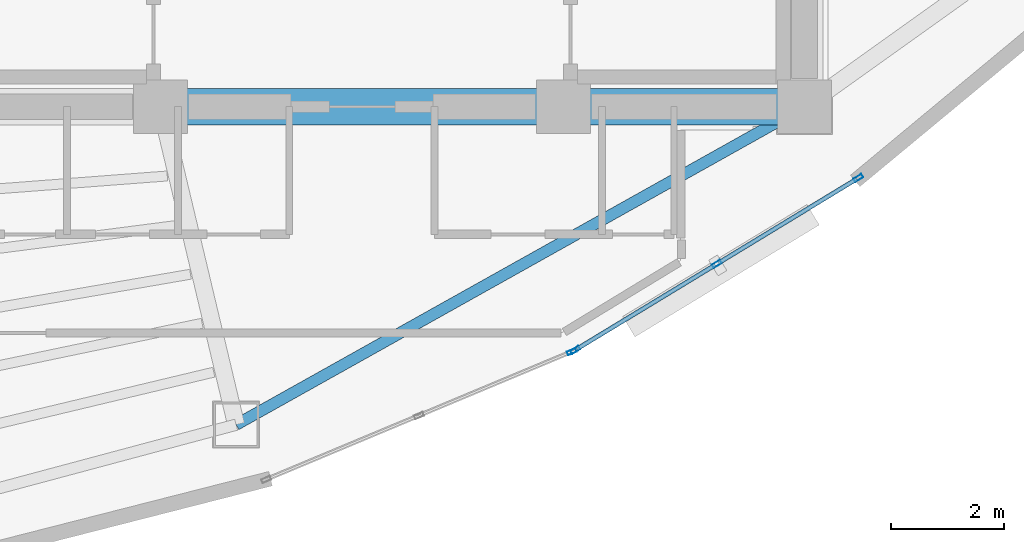
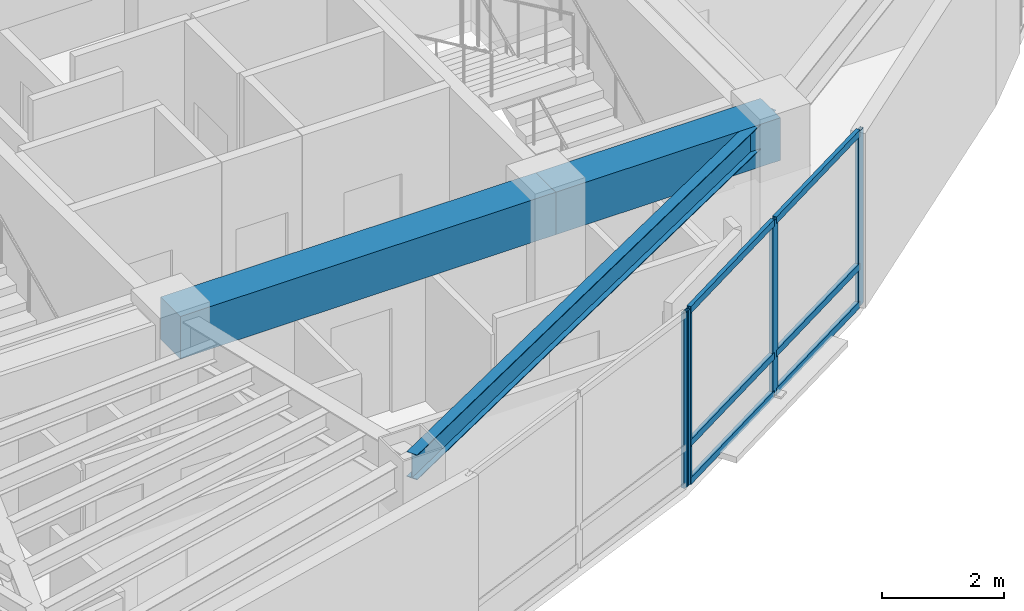
# One storey, part 5 of 15: 10 members, 3 beams, 2 elements without a shape of their own.
"""IFC4 building model written with IfcOpenShell, lengths in metres."""

import ifcopenshell
import ifcopenshell.guid

model = None  # the IFC model being written
_history = None  # IfcOwnerHistory: only IFC2X3 demands one
_inside = {}  # id of a spatial element -> (the spatial element, [elements in it])
_under = {}  # id of a project, library or spatial element -> (it, [spatial elements below it])
_declared = {}  # id of a project -> (the project, [libraries it declares])
_typed = {}  # id of a type object -> (the type object, [elements of that type])
_made_of = {}  # id of a material, layer set ... -> (it, [elements and type objects made of it])


def new_model(schema):
    """Start an empty IFC model of exactly this schema.

    Asked for "IFC4X3", IfcOpenShell would pick the latest addendum, in which some entities
    have other attributes; the version numbers below select the first issue.
    IFC2X3 requires an IfcOwnerHistory on every rooted entity: one is made here for all.
    """
    global model, _history
    if schema == "IFC4X3":
        model = ifcopenshell.file(schema_version=(4, 3, 0, 0))
    else:
        model = ifcopenshell.file(schema=schema)
    _inside.clear()
    _under.clear()
    _declared.clear()
    _typed.clear()
    _made_of.clear()
    _history = None
    if model.schema == "IFC2X3":
        org = make("IfcOrganization", Name="unknown")
        user = make(
            "IfcPersonAndOrganization",
            ThePerson=make("IfcPerson", FamilyName="unknown"),
            TheOrganization=org,
        )
        app = make(
            "IfcApplication",
            ApplicationDeveloper=org,
            Version="unknown",
            ApplicationFullName="unknown",
            ApplicationIdentifier="unknown",
        )
        _history = make(
            "IfcOwnerHistory",
            OwningUser=user,
            OwningApplication=app,
            ChangeAction="ADDED",
            CreationDate=0,
        )
    return model


def make(cls, **values):
    """One entity of the class cls with the attributes given. An attribute that is None is left unset."""
    return model.create_entity(
        cls, **{name: value for name, value in values.items() if value is not None}
    )


def rooted(cls, **values):
    """An entity with a GlobalId (a new one), such as an element, a storey or a relation."""
    return make(cls, GlobalId=ifcopenshell.guid.new(), OwnerHistory=_history, **values)


def si_unit(unit_type, name, prefix=None):
    """IfcSIUnit, for example si_unit("LENGTHUNIT", "METRE", prefix="MILLI")."""
    return make("IfcSIUnit", UnitType=unit_type, Prefix=prefix, Name=name)


def assignment(units):
    """IfcUnitAssignment: the units of a project."""
    return None if units is None else make("IfcUnitAssignment", Units=units)


def point(xyz):
    """IfcCartesianPoint."""
    return None if xyz is None else make("IfcCartesianPoint", Coordinates=xyz)


def direction(xyz):
    """IfcDirection."""
    return None if xyz is None else make("IfcDirection", DirectionRatios=xyz)


def frame(location, z_axis=None, x_axis=None):
    """IfcAxis2Placement3D, a coordinate frame: its origin and axes. An axis left out is left unset."""
    return make(
        "IfcAxis2Placement3D",
        Location=point(location),
        Axis=direction(z_axis),
        RefDirection=direction(x_axis),
    )


def frame_2d(location, x_axis=None):
    """IfcAxis2Placement2D, a coordinate frame in the plane: its origin and x axis."""
    return make(
        "IfcAxis2Placement2D", Location=point(location), RefDirection=direction(x_axis)
    )


def origin():
    """The frame at (0, 0, 0) with its axes left unset."""
    return frame((0.0, 0.0, 0.0))


def origin_2d():
    """The frame at (0, 0) in the plane with its x axis left unset."""
    return frame_2d((0.0, 0.0))


def place(relative_to, where):
    """IfcLocalPlacement: puts the frame where relative to a parent placement (None: the world)."""
    return make(
        "IfcLocalPlacement", PlacementRelTo=relative_to, RelativePlacement=where
    )


def context(
    kind, dimensions, precision=None, world=None, true_north=None, identifier=None
):
    """IfcGeometricRepresentationContext, for example the 3D "Model" context."""
    return make(
        "IfcGeometricRepresentationContext",
        ContextIdentifier=identifier,
        ContextType=kind,
        CoordinateSpaceDimension=dimensions,
        Precision=precision,
        WorldCoordinateSystem=world,
        TrueNorth=true_north,
    )


def subcontext(parent, identifier, kind, view, scale=None):
    """IfcGeometricRepresentationSubContext, for example "Body" below "Model"."""
    return make(
        "IfcGeometricRepresentationSubContext",
        ContextIdentifier=identifier,
        ContextType=kind,
        ParentContext=parent,
        TargetScale=scale,
        TargetView=view,
    )


def project(units=None, contexts=None):
    """IfcProject with its units and contexts."""
    return rooted(
        "IfcProject",
        Name="project",
        RepresentationContexts=contexts,
        UnitsInContext=assignment(units),
    )


def spatial(cls, under=None, at=None, **own):
    """A site, building, storey or space (cls), placed at a placement, below another one or the project."""
    s = rooted(cls, ObjectPlacement=at, **own)
    if under is not None:
        _under.setdefault(under.id(), (under, []))[1].append(s)
    return s


def profile(cls, at=None, kind="AREA", **sizes):
    """A parametric profile (cls). Its sizes go by their IFC names, for example OverallWidth=200.0."""
    return make(cls, ProfileType=kind, Position=at, **sizes)


def rectangle(**sizes):
    """IfcRectangleProfileDef."""
    return profile("IfcRectangleProfileDef", **sizes)


def hollow_rectangle(**sizes):
    """IfcRectangleHollowProfileDef."""
    return profile("IfcRectangleHollowProfileDef", **sizes)


def i_section(**sizes):
    """IfcIShapeProfileDef."""
    return profile("IfcIShapeProfileDef", **sizes)


def extrude(swept, where, along, depth):
    """IfcExtrudedAreaSolid: the profile swept, set in the frame where, extruded along a direction by depth."""
    return make(
        "IfcExtrudedAreaSolid",
        SweptArea=swept,
        Position=where,
        ExtrudedDirection=direction(along),
        Depth=depth,
    )


def shape(context_of_items, identifier, shape_type, items):
    """IfcShapeRepresentation: the items that make up one representation, for example the "Body"."""
    return make(
        "IfcShapeRepresentation",
        ContextOfItems=context_of_items,
        RepresentationIdentifier=identifier,
        RepresentationType=shape_type,
        Items=items,
    )


def material(Name=None, Category=None):
    """IfcMaterial."""
    return make("IfcMaterial", Name=Name, Category=Category)


def layer(
    of_material, thickness, ventilated=None, Name=None, Category=None, Priority=None
):
    """IfcMaterialLayer: one layer of a wall or slab, of a material (None: an air gap)."""
    return make(
        "IfcMaterialLayer",
        Material=of_material,
        LayerThickness=thickness,
        IsVentilated=ventilated,
        Name=Name,
        Category=Category,
        Priority=Priority,
    )


def layer_set(layers, Name=None):
    """IfcMaterialLayerSet."""
    return make("IfcMaterialLayerSet", MaterialLayers=layers, LayerSetName=Name)


def material_profile(
    of_material, cross_section, Name=None, Category=None, Priority=None
):
    """IfcMaterialProfile: a cross section and its material."""
    return make(
        "IfcMaterialProfile",
        Name=Name,
        Material=of_material,
        Profile=cross_section,
        Priority=Priority,
        Category=Category,
    )


def profile_set(profiles, Name=None, composite=None):
    """IfcMaterialProfileSet."""
    return make(
        "IfcMaterialProfileSet",
        Name=Name,
        MaterialProfiles=profiles,
        CompositeProfile=composite,
    )


def made_of(thing, what):
    """Note that an element or type object is made of a material, layer set ...; save() writes the relation."""
    if what is not None:
        _made_of.setdefault(what.id(), (what, []))[1].append(thing)
    return thing


def type_object(cls, material=None, **own):
    """A type object (cls), such as IfcWallType, which elements share."""
    return made_of(rooted(cls, **own), material)


def element(
    cls,
    number,
    at=None,
    inside=None,
    cuts=None,
    type_object=None,
    material=None,
    context=None,
    identifier="Body",
    shape_type=None,
    held_by="IfcProductDefinitionShape",
    body=None,
    shapes=None,
    **own,
):
    """One element of the class cls, such as IfcWall. Its Tag is "e" and its number.

    at: its placement. inside: the storey or other place that contains it. cuts: it is an
    opening in that element (IfcRelVoidsElement). A single representation is given by context,
    identifier, shape_type and body (its items); several are given by shapes. held_by: the class
    of the entity that holds the representations. save() writes the other relations.
    """
    e = rooted(cls, Tag="e%d" % number, ObjectPlacement=at, **own)
    if body is not None:
        shapes = [shape(context, identifier, shape_type, body)]
    if shapes is not None:
        e.Representation = make(held_by, Representations=shapes)
    if inside is not None:
        _inside.setdefault(inside.id(), (inside, []))[1].append(e)
    if cuts is not None:
        rooted(
            "IfcRelVoidsElement", RelatingBuildingElement=cuts, RelatedOpeningElement=e
        )
    if type_object is not None:
        _typed.setdefault(type_object.id(), (type_object, []))[1].append(e)
    return made_of(e, material)


def aggregate(whole, parts):
    """IfcRelAggregates: a whole, such as a stair, and the parts it consists of."""
    return rooted("IfcRelAggregates", RelatingObject=whole, RelatedObjects=parts)


def save(model, path):
    """Write the relations noted so far, then the file.

    IfcRelAggregates (storeys below a building ...), IfcRelContainedInSpatialStructure (elements
    in a storey), IfcRelDefinesByType, IfcRelAssociatesMaterial and IfcRelDeclares: one each for
    every whole, place, type object, material and project.
    """
    for whole, parts in _under.values():
        aggregate(whole, parts)
    for where, things in _inside.values():
        rooted(
            "IfcRelContainedInSpatialStructure",
            RelatedElements=things,
            RelatingStructure=where,
        )
    for kind, things in _typed.values():
        rooted("IfcRelDefinesByType", RelatedObjects=things, RelatingType=kind)
    for what, things in _made_of.values():
        rooted("IfcRelAssociatesMaterial", RelatedObjects=things, RelatingMaterial=what)
    for by, libraries in _declared.values():
        rooted("IfcRelDeclares", RelatingContext=by, RelatedDefinitions=libraries)
    model.write(path)


model = new_model("IFC4")

# Units and contexts
model_context = context("Model", 3, precision=1e-05, world=origin(), true_north=direction((0.0, 1.0)))
body_context = subcontext(model_context, "Body", "Model", "MODEL_VIEW")
ifc_project = project(units=[si_unit("LENGTHUNIT", "METRE"), si_unit("AREAUNIT", "SQUARE_METRE"), si_unit("VOLUMEUNIT", "CUBIC_METRE"), si_unit("PLANEANGLEUNIT", "RADIAN"), si_unit("MASSUNIT", "GRAM", prefix="KILO")], contexts=[model_context])

# Site, building, storey
site_placement = place(None, origin())
site = spatial("IfcSite", under=ifc_project, at=site_placement, CompositionType="ELEMENT")
building_placement = place(site_placement, origin())
building = spatial("IfcBuilding", under=site, at=building_placement, Name="Menara Vayukalpa", CompositionType="ELEMENT")
storey_placement = place(building_placement, frame((0.0, 0.0, 262.02001953125)))
storey = spatial("IfcBuildingStorey", under=building, at=storey_placement, Name="L66", CompositionType="ELEMENT", Elevation=262.02001953125)

# Beams
ifc_material_1 = material(Name="Concrete C60/75", Category="concrete")
ifc_material_profile_1 = material_profile(ifc_material_1, rectangle(XDim=0.64990234375, YDim=0.85009765625, at=origin_2d()), Name="RC 650x850")
ifc_profile_set_1 = profile_set([ifc_material_profile_1], Name="Concrete C60/75")
beam_type_1 = type_object("IfcBeamType", Name="BM-CB1", PredefinedType="BEAM", material=ifc_profile_set_1)
beam_1_placement = place(storey_placement, frame((22.050048828125, 17.199951171875, 3.074951171875), z_axis=(1.0, 0.0, 0.0), x_axis=(0.0, 1.0, 0.0)))
element("IfcBeam", 1, at=beam_1_placement, inside=storey, type_object=beam_type_1, Name="L66 Core Tie Beam CBR2", PredefinedType="BEAM", context=body_context, shape_type="SweptSolid", body=[
    extrude(rectangle(XDim=0.64990234375, YDim=0.85009765625, at=origin_2d()), origin(), (0.0, 0.0, 1.0), 7.099853515625),
])
beam_2_placement = place(storey_placement, frame((29.14990234375, 17.199951171875, 3.074951171875), z_axis=(1.0, 0.0, 0.0), x_axis=(0.0, 1.0, 0.0)))
element("IfcBeam", 2, at=beam_2_placement, inside=storey, type_object=beam_type_1, Name="L66 Core Tie Beam CBR3", PredefinedType="BEAM", context=body_context, shape_type="SweptSolid", body=[
    extrude(rectangle(XDim=0.64990234375, YDim=0.85009765625, at=origin_2d()), origin(), (0.0, 0.0, 1.0), 4.25),
])
ifc_material_2 = material(Name="Steel S355", Category="steel")
ifc_material_profile_2 = material_profile(ifc_material_2, i_section(OverallWidth=0.199951171875, OverallDepth=0.5, WebThickness=0.010009765625, FlangeThickness=0.01611328125, at=origin_2d()), Name="WF 500x200x10x16")
ifc_profile_set_2 = profile_set([ifc_material_profile_2], Name="Steel S355")
beam_type_2 = type_object("IfcBeamType", Name="BM-SP3", PredefinedType="SPANDREL", material=ifc_profile_set_2)
beam_3_placement = place(storey_placement, frame((23.3818359375, 11.59521484375, 3.25), z_axis=(0.87270577288, 0.48824648896, 0.0), x_axis=(-0.48824648896, 0.87270577288, 0.0)))
element("IfcBeam", 3, at=beam_3_placement, inside=storey, type_object=beam_type_2, Name="L66 Perimeter Spandrel Beam SP08", PredefinedType="SPANDREL", context=body_context, shape_type="SweptSolid", body=[
    extrude(i_section(OverallWidth=0.199951171875, OverallDepth=0.5, WebThickness=0.010009765625, FlangeThickness=0.01611328125, at=origin_2d()), origin(), (0.0, 0.0, 1.0), 11.479248046875),
])

# Curtain wall, member
ifc_material_3 = material(Name="Anodised Terracotta Aluminium Alloy 6063-T6", Category="masonry")
ifc_layer = layer(ifc_material_3, 0.1650390625)
ifc_layer_set = layer_set([ifc_layer], Name="Anodised Terracotta Aluminium Alloy 6063-T6")
curtain_wall_type = type_object("IfcCurtainWallType", Name="CW-CW6", PredefinedType="USERDEFINED", material=ifc_layer_set)
curtain_wall_1_placement = place(storey_placement, origin())
curtain_wall_1 = element("IfcCurtainWall", 4, at=curtain_wall_1_placement, inside=storey, type_object=curtain_wall_type, Name="L66 Observation and Executive Curtain Wall CW6 16", ObjectType="UNITISED", PredefinedType="USERDEFINED")
ifc_material_4 = material(Name="Anodised Terracotta Aluminium Alloy 6063-T6", Category="masonry")
ifc_material_profile_3 = material_profile(ifc_material_4, hollow_rectangle(XDim=0.070068359375, YDim=0.1650390625, WallThickness=0.00390625, at=origin_2d()), Name="ALU 70x165x4")
ifc_profile_set_3 = profile_set([ifc_material_profile_3], Name="Anodised Terracotta Aluminium Alloy 6063-T6")
member_type_1 = type_object("IfcMemberType", Name="CWM-CW6", PredefinedType="MULLION", material=ifc_profile_set_3)
member_1_placement = place(storey_placement, frame((29.298828125, 12.881103515625, 0.0), z_axis=(0.0, 0.0, 1.0), x_axis=(-0.385899911703, 0.922540653927, 0.0)))
member_1 = element("IfcMember", 5, at=member_1_placement, type_object=member_type_1, Name="CW6 mullion 3", PredefinedType="MULLION", context=body_context, shape_type="SweptSolid", body=[
    extrude(hollow_rectangle(XDim=0.070068359375, YDim=0.1650390625, WallThickness=0.00390625, at=origin_2d()), origin(), (0.0, 0.0, 1.0), 3.5),
])
aggregate(curtain_wall_1, [member_1])

# Curtain wall, members
curtain_wall_2_placement = place(storey_placement, origin())
curtain_wall_2 = element("IfcCurtainWall", 6, at=curtain_wall_2_placement, inside=storey, type_object=curtain_wall_type, Name="L66 Observation and Executive Curtain Wall CW6 17", ObjectType="UNITISED", PredefinedType="USERDEFINED")
member_2_placement = place(storey_placement, frame((29.36083984375, 12.912841796875, 0.0), z_axis=(0.0, 0.0, 1.0), x_axis=(-0.519175574558, 0.854667609532, 0.0)))
member_2 = element("IfcMember", 7, at=member_2_placement, type_object=member_type_1, Name="CW6 mullion 1", PredefinedType="MULLION", context=body_context, shape_type="SweptSolid", body=[
    extrude(hollow_rectangle(XDim=0.070068359375, YDim=0.1650390625, WallThickness=0.00390625, at=origin_2d()), origin(), (0.0, 0.0, 1.0), 3.5),
])
member_3_placement = place(storey_placement, frame((31.85546875, 14.42822265625, 0.0), z_axis=(0.0, 0.0, 1.0), x_axis=(-0.519175574558, 0.854667609532, 0.0)))
member_3 = element("IfcMember", 8, at=member_3_placement, type_object=member_type_1, Name="CW6 mullion 2", PredefinedType="MULLION", context=body_context, shape_type="SweptSolid", body=[
    extrude(hollow_rectangle(XDim=0.070068359375, YDim=0.1650390625, WallThickness=0.00390625, at=origin_2d()), origin(), (0.0, 0.0, 1.0), 3.5),
])
member_4_placement = place(storey_placement, frame((34.35009765625, 15.943603515625, 0.0), z_axis=(0.0, 0.0, 1.0), x_axis=(-0.519175574558, 0.854667609532, 0.0)))
member_4 = element("IfcMember", 9, at=member_4_placement, type_object=member_type_1, Name="CW6 mullion 3", PredefinedType="MULLION", context=body_context, shape_type="SweptSolid", body=[
    extrude(hollow_rectangle(XDim=0.070068359375, YDim=0.1650390625, WallThickness=0.00390625, at=origin_2d()), origin(), (0.0, 0.0, 1.0), 3.5),
])
ifc_material_5 = material(Name="Anodised Terracotta Aluminium Alloy 6063-T6", Category="masonry")
ifc_material_profile_4 = material_profile(ifc_material_5, hollow_rectangle(XDim=0.074951171875, YDim=0.135009765625, WallThickness=0.00390625, at=origin_2d()), Name="ALU 75x135x4")
ifc_profile_set_4 = profile_set([ifc_material_profile_4], Name="Anodised Terracotta Aluminium Alloy 6063-T6")
member_type_2 = type_object("IfcMemberType", Name="CWT-CW6", PredefinedType="USERDEFINED", material=ifc_profile_set_4)
member_5_placement = place(storey_placement, frame((29.390869140625, 12.93115234375, 0.03759765625), z_axis=(0.854689729536, 0.519139158825, 0.0), x_axis=(-0.519139158825, 0.854689729536, 0.0)))
member_5 = element("IfcMember", 10, at=member_5_placement, type_object=member_type_2, Name="CW6 transom 1.1", ObjectType="TRANSOM", PredefinedType="USERDEFINED", context=body_context, shape_type="SweptSolid", body=[
    extrude(hollow_rectangle(XDim=0.074951171875, YDim=0.135009765625, WallThickness=0.00390625, at=origin_2d()), origin(), (0.0, 0.0, 1.0), 2.848388671875),
])
member_6_placement = place(storey_placement, frame((29.390869140625, 12.93115234375, 0.800048828125), z_axis=(0.854689729536, 0.519139158825, 0.0), x_axis=(-0.519139158825, 0.854689729536, 0.0)))
member_6 = element("IfcMember", 11, at=member_6_placement, type_object=member_type_2, Name="CW6 transom 1.2", ObjectType="TRANSOM", PredefinedType="USERDEFINED", context=body_context, shape_type="SweptSolid", body=[
    extrude(hollow_rectangle(XDim=0.074951171875, YDim=0.135009765625, WallThickness=0.00390625, at=origin_2d()), origin(), (0.0, 0.0, 1.0), 2.848388671875),
])
member_7_placement = place(storey_placement, frame((29.390869140625, 12.93115234375, 3.46240234375), z_axis=(0.854689729536, 0.519139158825, 0.0), x_axis=(-0.519139158825, 0.854689729536, 0.0)))
member_7 = element("IfcMember", 12, at=member_7_placement, type_object=member_type_2, Name="CW6 transom 1.3", ObjectType="TRANSOM", PredefinedType="USERDEFINED", context=body_context, shape_type="SweptSolid", body=[
    extrude(hollow_rectangle(XDim=0.074951171875, YDim=0.135009765625, WallThickness=0.00390625, at=origin_2d()), origin(), (0.0, 0.0, 1.0), 2.848388671875),
])
member_8_placement = place(storey_placement, frame((31.88525390625, 14.4462890625, 0.03759765625), z_axis=(0.854674800659, 0.519163736328, 0.0), x_axis=(-0.519163736328, 0.85467480066, 0.0)))
member_8 = element("IfcMember", 13, at=member_8_placement, type_object=member_type_2, Name="CW6 transom 2.1", ObjectType="TRANSOM", PredefinedType="USERDEFINED", context=body_context, shape_type="SweptSolid", body=[
    extrude(hollow_rectangle(XDim=0.074951171875, YDim=0.135009765625, WallThickness=0.00390625, at=origin_2d()), origin(), (0.0, 0.0, 1.0), 2.848876953125),
])
member_9_placement = place(storey_placement, frame((31.88525390625, 14.4462890625, 0.800048828125), z_axis=(0.854674800659, 0.519163736328, 0.0), x_axis=(-0.519163736328, 0.85467480066, 0.0)))
member_9 = element("IfcMember", 14, at=member_9_placement, type_object=member_type_2, Name="CW6 transom 2.2", ObjectType="TRANSOM", PredefinedType="USERDEFINED", context=body_context, shape_type="SweptSolid", body=[
    extrude(hollow_rectangle(XDim=0.074951171875, YDim=0.135009765625, WallThickness=0.00390625, at=origin_2d()), origin(), (0.0, 0.0, 1.0), 2.848876953125),
])
member_10_placement = place(storey_placement, frame((31.88525390625, 14.4462890625, 3.46240234375), z_axis=(0.854674800659, 0.519163736328, 0.0), x_axis=(-0.519163736328, 0.85467480066, 0.0)))
member_10 = element("IfcMember", 15, at=member_10_placement, type_object=member_type_2, Name="CW6 transom 2.3", ObjectType="TRANSOM", PredefinedType="USERDEFINED", context=body_context, shape_type="SweptSolid", body=[
    extrude(hollow_rectangle(XDim=0.074951171875, YDim=0.135009765625, WallThickness=0.00390625, at=origin_2d()), origin(), (0.0, 0.0, 1.0), 2.848876953125),
])
aggregate(curtain_wall_2, [member_2, member_3, member_4, member_5, member_6, member_7, member_8, member_9, member_10])

save(model, "model.ifc")
